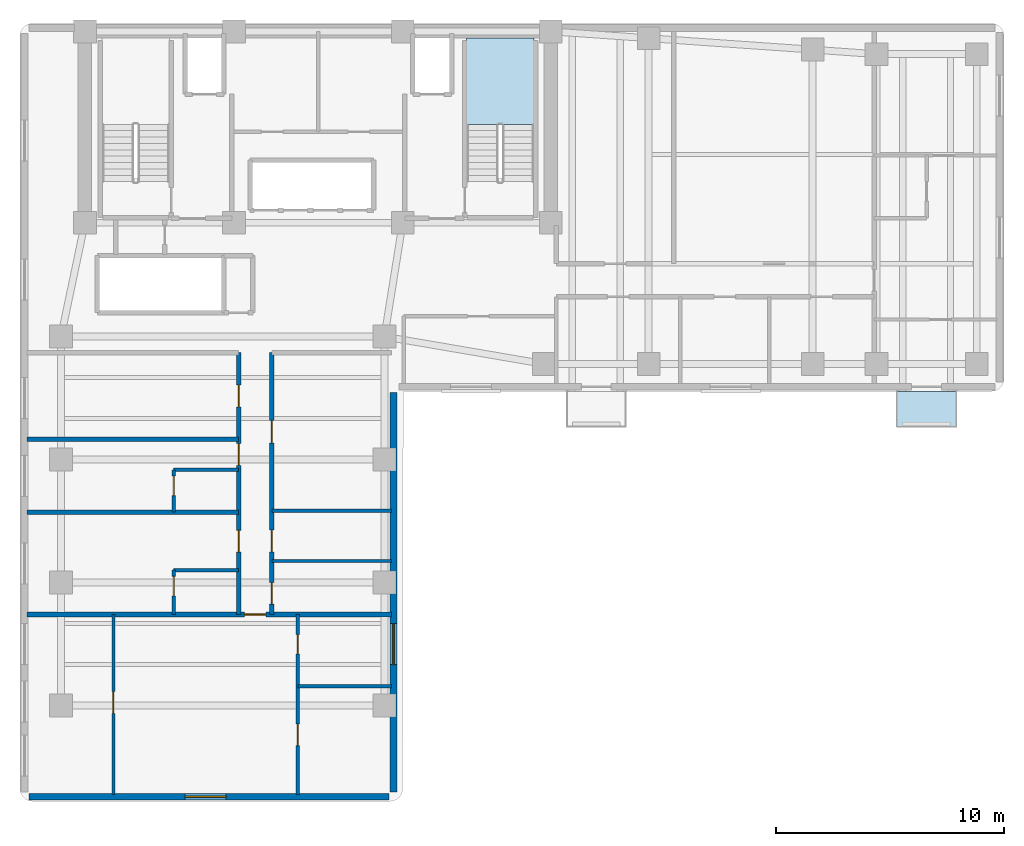
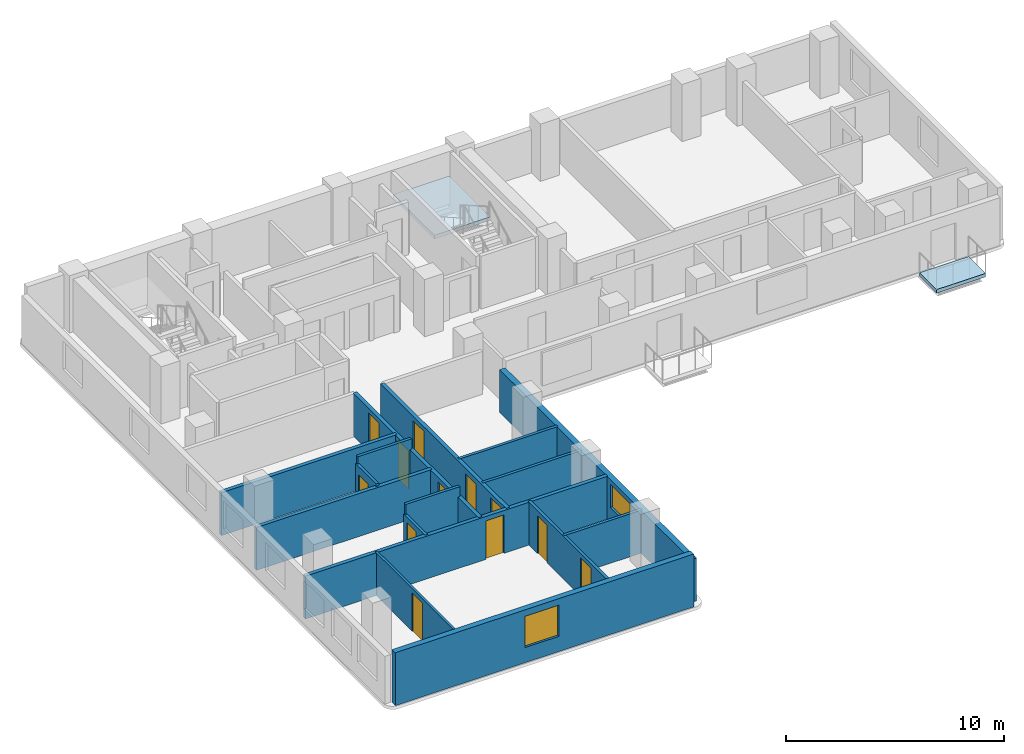
# One storey, part 2 of 7: 16 walls, 12 doors, 2 slabs, 2 windows, 14 openings, 1 element without a shape of its own.
"""IFC4 building model written with IfcOpenShell, lengths in metres."""

from ifc_helpers import new_model, si_unit, direction, frame, frame_2d, origin, place, context, subcontext, project, spatial, polyline, rectangle, outline, extrude, material, layer, layer_set, type_object, element, fill, aggregate, save


model = new_model("IFC4")

# Units and contexts
model_context = context("Model", 3, precision=1e-05, world=origin(), true_north=direction((0.0, 1.0)))
body_context = subcontext(model_context, "Body", "Model", "MODEL_VIEW")
ifc_project = project(units=[si_unit("LENGTHUNIT", "METRE"), si_unit("AREAUNIT", "SQUARE_METRE"), si_unit("VOLUMEUNIT", "CUBIC_METRE"), si_unit("PLANEANGLEUNIT", "RADIAN"), si_unit("MASSUNIT", "GRAM", prefix="KILO")], contexts=[model_context])

# Site, building, storey
site_placement = place(None, origin())
site = spatial("IfcSite", under=ifc_project, at=site_placement, CompositionType="ELEMENT")
building_placement = place(site_placement, origin())
building = spatial("IfcBuilding", under=site, at=building_placement, Name="Kuzgunbayir Cultural Tower", CompositionType="ELEMENT")
storey_placement = place(building_placement, frame((0.0, 0.0, 149.0)))
storey = spatial("IfcBuildingStorey", under=building, at=storey_placement, Name="L43", CompositionType="ELEMENT", Elevation=149.0)

# Slab
ifc_material_1 = material(Name="Concrete C40/50", Category="concrete")
ifc_layer_1 = layer(ifc_material_1, 0.199951171875)
ifc_layer_set_1 = layer_set([ifc_layer_1], Name="Concrete C40/50")
slab_type_1 = type_object("IfcSlabType", Name="SLB-BAL-STONE", PredefinedType="FLOOR", material=ifc_layer_set_1)
slab_1_placement = place(storey_placement, frame((0.0, 0.0, -0.199951171875)))
element("IfcSlab", 1, at=slab_1_placement, inside=storey, type_object=slab_type_1, Name="L43 Projecting Limestone Balcony BAL-L43-WB3", PredefinedType="FLOOR", context=body_context, shape_type="SweptSolid", body=[
    extrude(outline(polyline([(42.10009765625, 24.840087890625), (44.699951171875, 24.840087890625), (44.699951171875, 26.39990234375), (42.10009765625, 26.39990234375), (42.10009765625, 24.840087890625)])), origin(), (0.0, 0.0, 1.0), 0.199951171875),
])

# Stair, slab
stair_type = type_object("IfcStairType", Name="STR-EXIT-CORE", PredefinedType="HALF_TURN_STAIR", material=ifc_material_1)
stair_placement = place(storey_placement, origin())
stair = element("IfcStair", 2, at=stair_placement, inside=storey, type_object=stair_type, Name="L43 ST-2", PredefinedType="HALF_TURN_STAIR")
ifc_layer_2 = layer(ifc_material_1, 0.179931640625)
ifc_layer_set_2 = layer_set([ifc_layer_2], Name="Concrete C40/50")
slab_type_2 = type_object("IfcSlabType", Name="SLB-LANDING-180", PredefinedType="LANDING", material=ifc_layer_set_2)
slab_2_placement = place(storey_placement, frame((0.0, 0.0, 1.39990234375)))
slab_2 = element("IfcSlab", 3, at=slab_2_placement, type_object=slab_type_2, Name="ST-2 landing 1", PredefinedType="LANDING", context=body_context, shape_type="SweptSolid", body=[
    extrude(outline(polyline([(26.159912109375, 38.1201171875), (26.159912109375, 41.89990234375), (23.199951171875, 41.89990234375), (23.199951171875, 38.1201171875), (26.159912109375, 38.1201171875)])), origin(), (0.0, 0.0, 1.0), 0.2001953125),
])
aggregate(stair, [slab_2])

# Wall, opening, window
ifc_material_2 = material(Name="Anatolian Cream Limestone", Category="masonry")
ifc_layer_3 = layer(ifc_material_2, 0.300048828125)
ifc_layer_set_3 = layer_set([ifc_layer_3], Name="Anatolian Cream Limestone")
wall_type_1 = type_object("IfcWallType", Name="WAL-EXT-STONE-300", PredefinedType="STANDARD", material=ifc_layer_set_3)
wall_1_placement = place(storey_placement, frame((4.0, 8.60009765625, 0.0), z_axis=(0.0, 0.0, 1.0), x_axis=(1.0, 0.0, 0.0)))
wall_1 = element("IfcWall", 4, at=wall_1_placement, inside=storey, type_object=wall_type_1, Name="L43 Wing A South Limestone Wall", PredefinedType="STANDARD", context=body_context, shape_type="SweptSolid", body=[
    extrude(rectangle(XDim=15.800048828125, YDim=0.300048828125, at=frame_2d((7.89990234375, 0.0))), origin(), (0.0, 0.0, 1.0), 2.9599609375),
])
opening_1_placement = place(wall_1_placement, frame((6.85009765625, 0.0, 0.85009765625)))
opening_1 = element("IfcOpeningElement", 5, at=opening_1_placement, cuts=wall_1, Name="Opening WH-18", PredefinedType="OPENING", context=body_context, shape_type="SweptSolid", body=[
    extrude(rectangle(XDim=1.800048828125, YDim=1.75, at=frame_2d((0.89990234375, 0.875))), frame((0.0, 0.16015625, 0.0), z_axis=(0.0, -1.0, 0.0), x_axis=(1.0, 0.0, 0.0)), (0.0, 0.0, 1.0), 0.320068359375),
])
ifc_material_3 = material(Name="Solar-Control Triple Glazing", Category="glass")
window_type = type_object("IfcWindowType", Name="WIN-HOTEL-18", PartitioningType="SINGLE_PANEL", PredefinedType="WINDOW", material=ifc_material_3)
window_1_placement = place(opening_1_placement, origin())
window_1 = element("IfcWindow", 6, at=window_1_placement, inside=storey, type_object=window_type, Name="L43 WAS Facade Window 4", OverallHeight=1.75, OverallWidth=1.800048828125, PartitioningType="SINGLE_PANEL", PredefinedType="WINDOW", context=body_context, shape_type="SweptSolid", body=[
    extrude(rectangle(XDim=1.800048828125, YDim=1.75, at=frame_2d((0.89990234375, 0.875))), frame((0.0, 0.030029296875, 0.0), z_axis=(0.0, -1.0, 0.0), x_axis=(1.0, 0.0, 0.0)), (0.0, 0.0, 1.0), 0.06005859375),
])
fill(opening_1, window_1)

wall_2_placement = place(storey_placement, frame((20.0, 8.800048828125, 0.0), z_axis=(0.0, 0.0, 1.0), x_axis=(0.0, 1.0, 0.0)))
wall_2 = element("IfcWall", 7, at=wall_2_placement, inside=storey, type_object=wall_type_1, Name="L43 Wing A East Limestone Wall", PredefinedType="STANDARD", context=body_context, shape_type="SweptSolid", body=[
    extrude(rectangle(XDim=17.550048828125, YDim=0.300048828125, at=frame_2d((8.77490234375, 0.0))), origin(), (0.0, 0.0, 1.0), 2.39990234375),
])
opening_2_placement = place(wall_2_placement, frame((5.60009765625, 0.0, 0.85009765625)))
opening_2 = element("IfcOpeningElement", 8, at=opening_2_placement, cuts=wall_2, Name="Opening WH-18", PredefinedType="OPENING", context=body_context, shape_type="SweptSolid", body=[
    extrude(rectangle(XDim=1.800048828125, YDim=1.300048828125, at=frame_2d((0.89990234375, 0.64990234375))), frame((0.0, 0.16015625, 0.0), z_axis=(0.0, -1.0, 0.0), x_axis=(1.0, 0.0, 0.0)), (0.0, 0.0, 1.0), 0.320068359375),
])
window_2_placement = place(opening_2_placement, origin())
window_2 = element("IfcWindow", 9, at=window_2_placement, inside=storey, type_object=window_type, Name="L43 WAE Facade Window 12", OverallHeight=1.300048828125, OverallWidth=1.800048828125, PartitioningType="SINGLE_PANEL", PredefinedType="WINDOW", context=body_context, shape_type="SweptSolid", body=[
    extrude(rectangle(XDim=1.800048828125, YDim=1.300048828125, at=frame_2d((0.89990234375, 0.64990234375))), frame((0.0, 0.030029296875, 0.0), z_axis=(0.0, -1.0, 0.0), x_axis=(1.0, 0.0, 0.0)), (0.0, 0.0, 1.0), 0.06005859375),
])
fill(opening_2, window_2)

# Wall
ifc_material_4 = material(Name="Acoustic Double-Stud Drywall", Category="gypsum")
ifc_layer_4 = layer(ifc_material_4, 0.14990234375)
ifc_layer_set_4 = layer_set([ifc_layer_4], Name="Acoustic Double-Stud Drywall")
wall_type_2 = type_object("IfcWallType", Name="WAL-PART-ACOUSTIC-150", PredefinedType="PARTITIONING", material=ifc_layer_set_4)
wall_3_placement = place(storey_placement, frame((14.659912109375, 18.949951171875, 0.0), z_axis=(0.0, 0.0, 1.0), x_axis=(1.0, 0.0, 0.0)))
element("IfcWall", 10, at=wall_3_placement, inside=storey, type_object=wall_type_2, Name="L43 Housekeeping North Wall", PredefinedType="PARTITIONING", context=body_context, shape_type="SweptSolid", body=[
    extrude(rectangle(XDim=5.239990234375, YDim=0.14990234375, at=frame_2d((2.6201171875, 0.0))), origin(), (0.0, 0.0, 1.0), 2.39990234375),
])

# Wall, openings, doors
ifc_material_5 = material(Name="Aerated Concrete Blockwork", Category="masonry")
ifc_layer_5 = layer(ifc_material_5, 0.199951171875)
ifc_layer_set_5 = layer_set([ifc_layer_5], Name="Aerated Concrete Blockwork")
wall_type_3 = type_object("IfcWallType", Name="WAL-PART-FIRE-200", PredefinedType="PARTITIONING", material=ifc_layer_set_5)
wall_4_placement = place(storey_placement, frame((13.199951171875, 16.60009765625, 0.0), z_axis=(0.0, 0.0, 1.0), x_axis=(0.0, 1.0, 0.0)))
wall_4 = element("IfcWall", 11, at=wall_4_placement, inside=storey, type_object=wall_type_3, Name="L43 Wing A West Corridor Wall", PredefinedType="PARTITIONING", context=body_context, shape_type="SweptSolid", body=[
    extrude(rectangle(XDim=11.5, YDim=0.199951171875, at=frame_2d((5.75, 0.0))), origin(), (0.0, 0.0, 1.0), 2.39990234375),
])
opening_3_placement = place(wall_4_placement, frame((2.739990234375, 0.0, 0.0)))
opening_3 = element("IfcOpeningElement", 12, at=opening_3_placement, cuts=wall_4, Name="Opening DR-APT-60", PredefinedType="OPENING", context=body_context, shape_type="SweptSolid", body=[
    extrude(rectangle(XDim=0.949951171875, YDim=2.14990234375, at=frame_2d((0.47509765625, 1.074951171875))), frame((0.0, 0.10986328125, 0.0), z_axis=(0.0, -1.0, 0.0), x_axis=(1.0, 0.0, 0.0)), (0.0, 0.0, 1.0), 0.219970703125),
])
opening_4_placement = place(wall_4_placement, frame((6.550048828125, 0.0, 0.0)))
opening_4 = element("IfcOpeningElement", 13, at=opening_4_placement, cuts=wall_4, Name="Opening DR-APT-60", PredefinedType="OPENING", context=body_context, shape_type="SweptSolid", body=[
    extrude(rectangle(XDim=0.949951171875, YDim=2.14990234375, at=frame_2d((0.47509765625, 1.074951171875))), frame((0.0, 0.10986328125, 0.0), z_axis=(0.0, -1.0, 0.0), x_axis=(1.0, 0.0, 0.0)), (0.0, 0.0, 1.0), 0.219970703125),
])
opening_5_placement = place(wall_4_placement, frame((9.1201171875, 0.0, 0.0)))
opening_5 = element("IfcOpeningElement", 14, at=opening_5_placement, cuts=wall_4, Name="Opening DI-90", PredefinedType="OPENING", context=body_context, shape_type="SweptSolid", body=[
    extrude(rectangle(XDim=0.949951171875, YDim=2.14990234375, at=frame_2d((0.47509765625, 1.074951171875))), frame((0.0, 0.10986328125, 0.0), z_axis=(0.0, -1.0, 0.0), x_axis=(1.0, 0.0, 0.0)), (0.0, 0.0, 1.0), 0.219970703125),
])
ifc_material_6 = material(Name="Acoustic Fire Timber Leaf", Category="wood")
door_type_1 = type_object("IfcDoorType", Name="DR-APT-60", OperationType="NOTDEFINED", PredefinedType="DOOR", material=ifc_material_6)
door_1_placement = place(opening_3_placement, origin())
door_1 = element("IfcDoor", 15, at=door_1_placement, inside=storey, type_object=door_type_1, Name="L43 Guest Suite W1 Entrance", OperationType="SINGLE_SWING_RIGHT", OverallHeight=2.14990234375, OverallWidth=0.949951171875, PredefinedType="DOOR", context=body_context, shape_type="SweptSolid", body=[
    extrude(rectangle(XDim=0.949951171875, YDim=2.14990234375, at=frame_2d((0.47509765625, 1.074951171875))), frame((0.0, 0.02490234375, 0.0), z_axis=(0.0, -1.0, 0.0), x_axis=(1.0, 0.0, 0.0)), (0.0, 0.0, 1.0), 0.050048828125),
])
fill(opening_3, door_1)
door_2_placement = place(opening_4_placement, origin())
door_2 = element("IfcDoor", 16, at=door_2_placement, inside=storey, type_object=door_type_1, Name="L43 Guest Suite W2 Entrance", OperationType="SINGLE_SWING_RIGHT", OverallHeight=2.14990234375, OverallWidth=0.949951171875, PredefinedType="DOOR", context=body_context, shape_type="SweptSolid", body=[
    extrude(rectangle(XDim=0.949951171875, YDim=2.14990234375, at=frame_2d((0.47509765625, 1.074951171875))), frame((0.0, 0.02490234375, 0.0), z_axis=(0.0, -1.0, 0.0), x_axis=(1.0, 0.0, 0.0)), (0.0, 0.0, 1.0), 0.050048828125),
])
fill(opening_4, door_2)
ifc_material_7 = material(Name="Veneered Oak Single Leaf", Category="wood")
door_type_2 = type_object("IfcDoorType", Name="DR-INT-90", OperationType="NOTDEFINED", PredefinedType="DOOR", material=ifc_material_7)
door_3_placement = place(opening_5_placement, origin())
door_3 = element("IfcDoor", 17, at=door_3_placement, inside=storey, type_object=door_type_2, Name="L43 Seminar Boardroom 3 Door", OperationType="SINGLE_SWING_LEFT", OverallHeight=2.14990234375, OverallWidth=0.949951171875, PredefinedType="DOOR", context=body_context, shape_type="SweptSolid", body=[
    extrude(rectangle(XDim=0.949951171875, YDim=2.14990234375, at=frame_2d((0.47509765625, 1.074951171875))), frame((0.0, 0.02490234375, 0.0), z_axis=(0.0, -1.0, 0.0), x_axis=(1.0, 0.0, 0.0)), (0.0, 0.0, 1.0), 0.050048828125),
])
fill(opening_5, door_3)

wall_5_placement = place(storey_placement, frame((14.659912109375, 16.60009765625, 0.0), z_axis=(0.0, 0.0, 1.0), x_axis=(0.0, 1.0, 0.0)))
wall_5 = element("IfcWall", 18, at=wall_5_placement, inside=storey, type_object=wall_type_3, Name="L43 Wing A East Corridor Wall", PredefinedType="PARTITIONING", context=body_context, shape_type="SweptSolid", body=[
    extrude(rectangle(XDim=11.5, YDim=0.199951171875, at=frame_2d((5.75, 0.0))), origin(), (0.0, 0.0, 1.0), 2.39990234375),
])
opening_6_placement = place(wall_5_placement, frame((0.449951171875, 0.0, 0.0)))
opening_6 = element("IfcOpeningElement", 19, at=opening_6_placement, cuts=wall_5, Name="Opening DI-90", PredefinedType="OPENING", context=body_context, shape_type="SweptSolid", body=[
    extrude(rectangle(XDim=0.949951171875, YDim=2.14990234375, at=frame_2d((0.47509765625, 1.074951171875))), frame((0.0, 0.10986328125, 0.0), z_axis=(0.0, -1.0, 0.0), x_axis=(1.0, 0.0, 0.0)), (0.0, 0.0, 1.0), 0.219970703125),
])
opening_7_placement = place(wall_5_placement, frame((2.75, 0.0, 0.0)))
opening_7 = element("IfcOpeningElement", 20, at=opening_7_placement, cuts=wall_5, Name="Opening DW-95", PredefinedType="OPENING", context=body_context, shape_type="SweptSolid", body=[
    extrude(rectangle(XDim=0.949951171875, YDim=2.10009765625, at=frame_2d((0.47509765625, 1.050048828125))), frame((0.0, 0.10986328125, 0.0), z_axis=(0.0, -1.0, 0.0), x_axis=(1.0, 0.0, 0.0)), (0.0, 0.0, 1.0), 0.219970703125),
])
opening_8_placement = place(wall_5_placement, frame((7.52001953125, 0.0, 0.0)))
opening_8 = element("IfcOpeningElement", 21, at=opening_8_placement, cuts=wall_5, Name="Opening DI-100", PredefinedType="OPENING", context=body_context, shape_type="SweptSolid", body=[
    extrude(rectangle(XDim=1.0, YDim=2.14990234375, at=frame_2d((0.5, 1.074951171875))), frame((0.0, 0.10986328125, 0.0), z_axis=(0.0, -1.0, 0.0), x_axis=(1.0, 0.0, 0.0)), (0.0, 0.0, 1.0), 0.219970703125),
])
door_type_3 = type_object("IfcDoorType", Name="DR-INT-100", OperationType="NOTDEFINED", PredefinedType="DOOR", material=ifc_material_7)
door_4_placement = place(opening_8_placement, origin())
door_4 = element("IfcDoor", 22, at=door_4_placement, inside=storey, type_object=door_type_3, Name="L43 East Seminar Boardroom Door", OperationType="SINGLE_SWING_RIGHT", OverallHeight=2.14990234375, OverallWidth=1.0, PredefinedType="DOOR", context=body_context, shape_type="SweptSolid", body=[
    extrude(rectangle(XDim=1.0, YDim=2.14990234375, at=frame_2d((0.5, 1.074951171875))), frame((0.0, 0.02490234375, 0.0), z_axis=(0.0, -1.0, 0.0), x_axis=(1.0, 0.0, 0.0)), (0.0, 0.0, 1.0), 0.050048828125),
])
fill(opening_8, door_4)
door_5_placement = place(opening_6_placement, origin())
door_5 = element("IfcDoor", 23, at=door_5_placement, inside=storey, type_object=door_type_2, Name="L43 Housekeeping Room Door", OperationType="SINGLE_SWING_RIGHT", OverallHeight=2.14990234375, OverallWidth=0.949951171875, PredefinedType="DOOR", context=body_context, shape_type="SweptSolid", body=[
    extrude(rectangle(XDim=0.949951171875, YDim=2.14990234375, at=frame_2d((0.47509765625, 1.074951171875))), frame((0.0, 0.02490234375, 0.0), z_axis=(0.0, -1.0, 0.0), x_axis=(1.0, 0.0, 0.0)), (0.0, 0.0, 1.0), 0.050048828125),
])
fill(opening_6, door_5)
ifc_material_8 = material(Name="Laminate Moisture-Resistant Leaf", Category="wood")
door_type_4 = type_object("IfcDoorType", Name="DR-WET-95", OperationType="NOTDEFINED", PredefinedType="DOOR", material=ifc_material_8)
door_6_placement = place(opening_7_placement, origin())
door_6 = element("IfcDoor", 24, at=door_6_placement, inside=storey, type_object=door_type_4, Name="L43 Accessible WC Door", OperationType="SINGLE_SWING_LEFT", OverallHeight=2.10009765625, OverallWidth=0.949951171875, PredefinedType="DOOR", context=body_context, shape_type="SweptSolid", body=[
    extrude(rectangle(XDim=0.949951171875, YDim=2.10009765625, at=frame_2d((0.47509765625, 1.050048828125))), frame((0.0, 0.02490234375, 0.0), z_axis=(0.0, -1.0, 0.0), x_axis=(1.0, 0.0, 0.0)), (0.0, 0.0, 1.0), 0.050048828125),
])
fill(opening_7, door_6)

# Wall, opening, door
wall_6_placement = place(storey_placement, frame((3.89990234375, 16.60009765625, 0.0), z_axis=(0.0, 0.0, 1.0), x_axis=(1.0, 0.0, 0.0)))
wall_6 = element("IfcWall", 25, at=wall_6_placement, inside=storey, type_object=wall_type_3, Name="L43 South Cross Partition", PredefinedType="PARTITIONING", context=body_context, shape_type="SweptSolid", body=[
    extrude(rectangle(XDim=16.0, YDim=0.199951171875, at=frame_2d((8.0, 0.0))), origin(), (0.0, 0.0, 1.0), 2.39990234375),
])
opening_9_placement = place(wall_6_placement, frame((9.550048828125, 0.0, 0.0)))
opening_9 = element("IfcOpeningElement", 26, at=opening_9_placement, cuts=wall_6, Name="Opening DR-APT-60", PredefinedType="OPENING", context=body_context, shape_type="SweptSolid", body=[
    extrude(rectangle(XDim=0.949951171875, YDim=2.14990234375, at=frame_2d((0.47509765625, 1.074951171875))), frame((0.0, 0.10986328125, 0.0), z_axis=(0.0, -1.0, 0.0), x_axis=(1.0, 0.0, 0.0)), (0.0, 0.0, 1.0), 0.219970703125),
])
door_7_placement = place(opening_9_placement, origin())
door_7 = element("IfcDoor", 27, at=door_7_placement, inside=storey, type_object=door_type_1, Name="L43 Diplomatic Suite Entrance", OperationType="SINGLE_SWING_RIGHT", OverallHeight=2.14990234375, OverallWidth=0.949951171875, PredefinedType="DOOR", context=body_context, shape_type="SweptSolid", body=[
    extrude(rectangle(XDim=0.949951171875, YDim=2.14990234375, at=frame_2d((0.47509765625, 1.074951171875))), frame((0.0, 0.02490234375, 0.0), z_axis=(0.0, -1.0, 0.0), x_axis=(1.0, 0.0, 0.0)), (0.0, 0.0, 1.0), 0.050048828125),
])
fill(opening_9, door_7)

# Walls
for number, where, z_axis, x_axis, name in (
    (28, (3.89990234375, 21.090087890625, 0.0), (0.0, 0.0, 1.0), (1.0, 0.0, 0.0), "L43 West Party Wall 1"),
    (29, (3.89990234375, 24.300048828125, 0.0), (0.0, 0.0, 1.0), (1.0, 0.0, 0.0), "L43 West Party Wall 2"),
):
    element("IfcWall", number, at=place(storey_placement, frame(where, z_axis=z_axis, x_axis=x_axis)), inside=storey, type_object=wall_type_3, Name=name, PredefinedType="PARTITIONING", context=body_context, shape_type="SweptSolid", body=[
        extrude(rectangle(XDim=9.300048828125, YDim=0.199951171875, at=frame_2d((4.64990234375, 0.0))), origin(), (0.0, 0.0, 1.0), 2.39990234375),
    ])

# Wall, opening, door
ifc_material_9 = material(Name="Framed Gypsum Partition", Category="gypsum")
ifc_layer_6 = layer(ifc_material_9, 0.1201171875)
ifc_layer_set_6 = layer_set([ifc_layer_6], Name="Framed Gypsum Partition")
wall_type_4 = type_object("IfcWallType", Name="WAL-PART-INT-120", PredefinedType="PARTITIONING", material=ifc_layer_set_6)
wall_7_placement = place(storey_placement, frame((7.699951171875, 8.699951171875, 0.0), z_axis=(0.0, 0.0, 1.0), x_axis=(0.0, 1.0, 0.0)))
wall_7 = element("IfcWall", 30, at=wall_7_placement, inside=storey, type_object=wall_type_4, Name="L43 Diplomatic Suite Bedroom Wall", PredefinedType="PARTITIONING", context=body_context, shape_type="SweptSolid", body=[
    extrude(rectangle(XDim=7.900146484375, YDim=0.1201171875, at=frame_2d((3.9501953125, 0.0))), origin(), (0.0, 0.0, 1.0), 2.39990234375),
])
opening_10_placement = place(wall_7_placement, frame((3.56005859375, 0.0, 0.0)))
opening_10 = element("IfcOpeningElement", 31, at=opening_10_placement, cuts=wall_7, Name="Opening DI-90", PredefinedType="OPENING", context=body_context, shape_type="SweptSolid", body=[
    extrude(rectangle(XDim=0.949951171875, YDim=2.14990234375, at=frame_2d((0.47509765625, 1.074951171875))), frame((0.0, 0.070068359375, 0.0), z_axis=(0.0, -1.0, 0.0), x_axis=(1.0, 0.0, 0.0)), (0.0, 0.0, 1.0), 0.14013671875),
])
door_8_placement = place(opening_10_placement, origin())
door_8 = element("IfcDoor", 32, at=door_8_placement, inside=storey, type_object=door_type_2, Name="L43 Diplomatic Bedroom Door", OperationType="SINGLE_SWING_LEFT", OverallHeight=2.14990234375, OverallWidth=0.949951171875, PredefinedType="DOOR", context=body_context, shape_type="SweptSolid", body=[
    extrude(rectangle(XDim=0.949951171875, YDim=2.14990234375, at=frame_2d((0.47509765625, 1.074951171875))), frame((0.0, 0.02490234375, 0.0), z_axis=(0.0, -1.0, 0.0), x_axis=(1.0, 0.0, 0.0)), (0.0, 0.0, 1.0), 0.050048828125),
])
fill(opening_10, door_8)

# Wall
ifc_material_10 = material(Name="Moisture-Resistant Tile Partition", Category="gypsum")
ifc_layer_7 = layer(ifc_material_10, 0.14990234375)
ifc_layer_set_7 = layer_set([ifc_layer_7], Name="Moisture-Resistant Tile Partition")
wall_type_5 = type_object("IfcWallType", Name="WAL-PART-WET-150", PredefinedType="PARTITIONING", material=ifc_layer_set_7)
wall_8_placement = place(storey_placement, frame((10.35009765625, 18.550048828125, 0.0), z_axis=(0.0, 0.0, 1.0), x_axis=(1.0, 0.0, 0.0)))
element("IfcWall", 33, at=wall_8_placement, inside=storey, type_object=wall_type_5, Name="L43 Suite W1 En-Suite North Wall", PredefinedType="PARTITIONING", context=body_context, shape_type="SweptSolid", body=[
    extrude(rectangle(XDim=2.849853515625, YDim=0.14990234375, at=frame_2d((1.4248046875, 0.0))), origin(), (0.0, 0.0, 1.0), 2.9599609375),
])

# Wall, opening, door
wall_9_placement = place(storey_placement, frame((10.35009765625, 16.60009765625, 0.0), z_axis=(0.0, 0.0, 1.0), x_axis=(0.0, 1.0, 0.0)))
wall_9 = element("IfcWall", 34, at=wall_9_placement, inside=storey, type_object=wall_type_5, Name="L43 Suite W1 En-Suite West Wall", PredefinedType="PARTITIONING", context=body_context, shape_type="SweptSolid", body=[
    extrude(rectangle(XDim=1.949951171875, YDim=0.14990234375, at=frame_2d((0.97509765625, 0.0))), origin(), (0.0, 0.0, 1.0), 2.39990234375),
])
opening_11_placement = place(wall_9_placement, frame((0.820068359375, 0.0, 0.0)))
opening_11 = element("IfcOpeningElement", 35, at=opening_11_placement, cuts=wall_9, Name="Opening DW-85", PredefinedType="OPENING", context=body_context, shape_type="SweptSolid", body=[
    extrude(rectangle(XDim=0.85009765625, YDim=2.10009765625, at=frame_2d((0.425048828125, 1.050048828125))), frame((0.0, 0.0849609375, 0.0), z_axis=(0.0, -1.0, 0.0), x_axis=(1.0, 0.0, 0.0)), (0.0, 0.0, 1.0), 0.169921875),
])
door_type_5 = type_object("IfcDoorType", Name="DR-WET-85", OperationType="NOTDEFINED", PredefinedType="DOOR", material=ifc_material_8)
door_9_placement = place(opening_11_placement, origin())
door_9 = element("IfcDoor", 36, at=door_9_placement, inside=storey, type_object=door_type_5, Name="L43 Suite W1 En-Suite Door", OperationType="SINGLE_SWING_LEFT", OverallHeight=2.10009765625, OverallWidth=0.85009765625, PredefinedType="DOOR", context=body_context, shape_type="SweptSolid", body=[
    extrude(rectangle(XDim=0.85009765625, YDim=2.10009765625, at=frame_2d((0.425048828125, 1.050048828125))), frame((0.0, 0.02490234375, 0.0), z_axis=(0.0, -1.0, 0.0), x_axis=(1.0, 0.0, 0.0)), (0.0, 0.0, 1.0), 0.050048828125),
])
fill(opening_11, door_9)

# Wall
wall_10_placement = place(storey_placement, frame((10.35009765625, 22.949951171875, 0.0), z_axis=(0.0, 0.0, 1.0), x_axis=(1.0, 0.0, 0.0)))
element("IfcWall", 37, at=wall_10_placement, inside=storey, type_object=wall_type_5, Name="L43 Suite W2 En-Suite North Wall", PredefinedType="PARTITIONING", context=body_context, shape_type="SweptSolid", body=[
    extrude(rectangle(XDim=2.849853515625, YDim=0.14990234375, at=frame_2d((1.4248046875, 0.0))), origin(), (0.0, 0.0, 1.0), 2.9599609375),
])

# Wall, opening, door
wall_11_placement = place(storey_placement, frame((10.35009765625, 21.090087890625, 0.0), z_axis=(0.0, 0.0, 1.0), x_axis=(0.0, 1.0, 0.0)))
wall_11 = element("IfcWall", 38, at=wall_11_placement, inside=storey, type_object=wall_type_5, Name="L43 Suite W2 En-Suite West Wall", PredefinedType="PARTITIONING", context=body_context, shape_type="SweptSolid", body=[
    extrude(rectangle(XDim=1.85986328125, YDim=0.14990234375, at=frame_2d((0.929931640625, 0.0))), origin(), (0.0, 0.0, 1.0), 2.550048828125),
])
opening_12_placement = place(wall_11_placement, frame((0.72998046875, 0.0, 0.0)))
opening_12 = element("IfcOpeningElement", 39, at=opening_12_placement, cuts=wall_11, Name="Opening DW-85", PredefinedType="OPENING", context=body_context, shape_type="SweptSolid", body=[
    extrude(rectangle(XDim=0.85009765625, YDim=2.10009765625, at=frame_2d((0.425048828125, 1.050048828125))), frame((0.0, 0.0849609375, 0.0), z_axis=(0.0, -1.0, 0.0), x_axis=(1.0, 0.0, 0.0)), (0.0, 0.0, 1.0), 0.169921875),
])
door_10_placement = place(opening_12_placement, origin())
door_10 = element("IfcDoor", 40, at=door_10_placement, inside=storey, type_object=door_type_5, Name="L43 Suite W2 En-Suite Door", OperationType="SINGLE_SWING_LEFT", OverallHeight=2.10009765625, OverallWidth=0.85009765625, PredefinedType="DOOR", context=body_context, shape_type="SweptSolid", body=[
    extrude(rectangle(XDim=0.85009765625, YDim=2.10009765625, at=frame_2d((0.425048828125, 1.050048828125))), frame((0.0, 0.02490234375, 0.0), z_axis=(0.0, -1.0, 0.0), x_axis=(1.0, 0.0, 0.0)), (0.0, 0.0, 1.0), 0.050048828125),
])
fill(opening_12, door_10)

# Wall, openings, doors
wall_12_placement = place(storey_placement, frame((15.800048828125, 8.699951171875, 0.0), z_axis=(0.0, 0.0, 1.0), x_axis=(0.0, 1.0, 0.0)))
wall_12 = element("IfcWall", 41, at=wall_12_placement, inside=storey, type_object=wall_type_5, Name="L43 Diplomatic Suite Service Wall", PredefinedType="PARTITIONING", context=body_context, shape_type="SweptSolid", body=[
    extrude(rectangle(XDim=7.900146484375, YDim=0.14990234375, at=frame_2d((3.9501953125, 0.0))), origin(), (0.0, 0.0, 1.0), 2.39990234375),
])
opening_13_placement = place(wall_12_placement, frame((2.139892578125, 0.0, 0.0)))
opening_13 = element("IfcOpeningElement", 42, at=opening_13_placement, cuts=wall_12, Name="Opening DI-90", PredefinedType="OPENING", context=body_context, shape_type="SweptSolid", body=[
    extrude(rectangle(XDim=0.949951171875, YDim=2.14990234375, at=frame_2d((0.47509765625, 1.074951171875))), frame((0.0, 0.0849609375, 0.0), z_axis=(0.0, -1.0, 0.0), x_axis=(1.0, 0.0, 0.0)), (0.0, 0.0, 1.0), 0.169921875),
])
opening_14_placement = place(wall_12_placement, frame((6.169921875, 0.0, 0.0)))
opening_14 = element("IfcOpeningElement", 43, at=opening_14_placement, cuts=wall_12, Name="Opening DW-85", PredefinedType="OPENING", context=body_context, shape_type="SweptSolid", body=[
    extrude(rectangle(XDim=0.85009765625, YDim=2.10009765625, at=frame_2d((0.425048828125, 1.050048828125))), frame((0.0, 0.0849609375, 0.0), z_axis=(0.0, -1.0, 0.0), x_axis=(1.0, 0.0, 0.0)), (0.0, 0.0, 1.0), 0.169921875),
])
door_11_placement = place(opening_13_placement, origin())
door_11 = element("IfcDoor", 44, at=door_11_placement, inside=storey, type_object=door_type_2, Name="L43 Diplomatic Kitchen Door", OperationType="SINGLE_SWING_RIGHT", OverallHeight=2.14990234375, OverallWidth=0.949951171875, PredefinedType="DOOR", context=body_context, shape_type="SweptSolid", body=[
    extrude(rectangle(XDim=0.949951171875, YDim=2.14990234375, at=frame_2d((0.47509765625, 1.074951171875))), frame((0.0, 0.02490234375, 0.0), z_axis=(0.0, -1.0, 0.0), x_axis=(1.0, 0.0, 0.0)), (0.0, 0.0, 1.0), 0.050048828125),
])
fill(opening_13, door_11)
door_12_placement = place(opening_14_placement, origin())
door_12 = element("IfcDoor", 45, at=door_12_placement, inside=storey, type_object=door_type_5, Name="L43 Diplomatic Bathroom Door", OperationType="SINGLE_SWING_LEFT", OverallHeight=2.10009765625, OverallWidth=0.85009765625, PredefinedType="DOOR", context=body_context, shape_type="SweptSolid", body=[
    extrude(rectangle(XDim=0.85009765625, YDim=2.10009765625, at=frame_2d((0.425048828125, 1.050048828125))), frame((0.0, 0.02490234375, 0.0), z_axis=(0.0, -1.0, 0.0), x_axis=(1.0, 0.0, 0.0)), (0.0, 0.0, 1.0), 0.050048828125),
])
fill(opening_14, door_12)

# Walls
wall_13_placement = place(storey_placement, frame((15.800048828125, 13.449951171875, 0.0), z_axis=(0.0, 0.0, 1.0), x_axis=(1.0, 0.0, 0.0)))
element("IfcWall", 46, at=wall_13_placement, inside=storey, type_object=wall_type_5, Name="L43 Diplomatic Suite Bath Kitchen Divider", PredefinedType="PARTITIONING", context=body_context, shape_type="SweptSolid", body=[
    extrude(rectangle(XDim=4.099853515625, YDim=0.14990234375, at=frame_2d((2.0498046875, 0.0))), origin(), (0.0, 0.0, 1.0), 2.39990234375),
])
wall_14_placement = place(storey_placement, frame((14.659912109375, 21.14990234375, 0.0), z_axis=(0.0, 0.0, 1.0), x_axis=(1.0, 0.0, 0.0)))
element("IfcWall", 47, at=wall_14_placement, inside=storey, type_object=wall_type_5, Name="L43 Accessible WC North Wall", PredefinedType="PARTITIONING", context=body_context, shape_type="SweptSolid", body=[
    extrude(rectangle(XDim=5.239990234375, YDim=0.14990234375, at=frame_2d((2.6201171875, 0.0))), origin(), (0.0, 0.0, 1.0), 2.39990234375),
])

save(model, "model.ifc")
